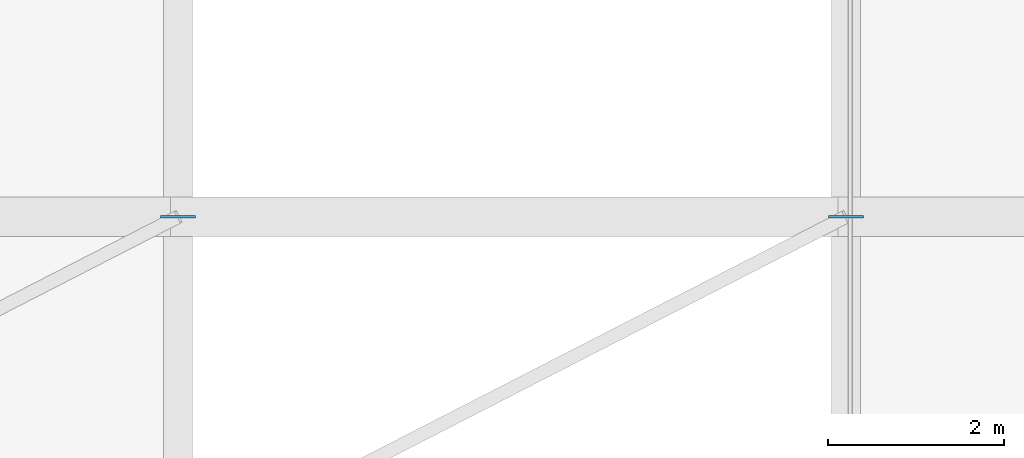
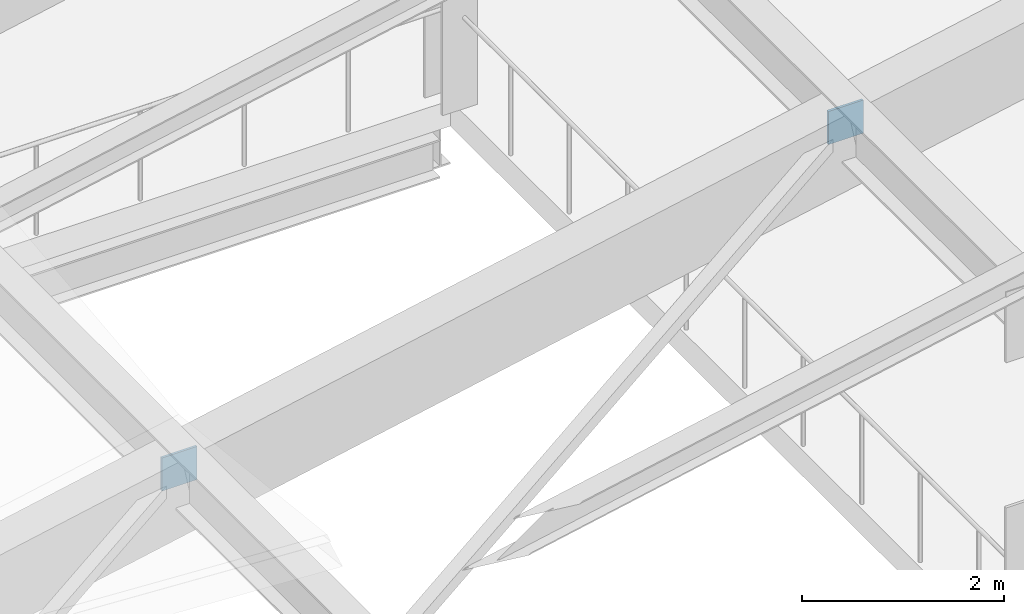
# One storey, part 46 of 73: 2 plates.
"""IFC4 building model written with IfcOpenShell, lengths in metres."""

import ifcopenshell
import ifcopenshell.guid

model = None  # the IFC model being written
_history = None  # IfcOwnerHistory: only IFC2X3 demands one
_inside = {}  # id of a spatial element -> (the spatial element, [elements in it])
_under = {}  # id of a project, library or spatial element -> (it, [spatial elements below it])
_declared = {}  # id of a project -> (the project, [libraries it declares])
_typed = {}  # id of a type object -> (the type object, [elements of that type])
_made_of = {}  # id of a material, layer set ... -> (it, [elements and type objects made of it])


def new_model(schema):
    """Start an empty IFC model of exactly this schema.

    Asked for "IFC4X3", IfcOpenShell would pick the latest addendum, in which some entities
    have other attributes; the version numbers below select the first issue.
    IFC2X3 requires an IfcOwnerHistory on every rooted entity: one is made here for all.
    """
    global model, _history
    if schema == "IFC4X3":
        model = ifcopenshell.file(schema_version=(4, 3, 0, 0))
    else:
        model = ifcopenshell.file(schema=schema)
    _inside.clear()
    _under.clear()
    _declared.clear()
    _typed.clear()
    _made_of.clear()
    _history = None
    if model.schema == "IFC2X3":
        org = make("IfcOrganization", Name="unknown")
        user = make(
            "IfcPersonAndOrganization",
            ThePerson=make("IfcPerson", FamilyName="unknown"),
            TheOrganization=org,
        )
        app = make(
            "IfcApplication",
            ApplicationDeveloper=org,
            Version="unknown",
            ApplicationFullName="unknown",
            ApplicationIdentifier="unknown",
        )
        _history = make(
            "IfcOwnerHistory",
            OwningUser=user,
            OwningApplication=app,
            ChangeAction="ADDED",
            CreationDate=0,
        )
    return model


def make(cls, **values):
    """One entity of the class cls with the attributes given. An attribute that is None is left unset."""
    return model.create_entity(
        cls, **{name: value for name, value in values.items() if value is not None}
    )


def rooted(cls, **values):
    """An entity with a GlobalId (a new one), such as an element, a storey or a relation."""
    return make(cls, GlobalId=ifcopenshell.guid.new(), OwnerHistory=_history, **values)


def si_unit(unit_type, name, prefix=None):
    """IfcSIUnit, for example si_unit("LENGTHUNIT", "METRE", prefix="MILLI")."""
    return make("IfcSIUnit", UnitType=unit_type, Prefix=prefix, Name=name)


def assignment(units):
    """IfcUnitAssignment: the units of a project."""
    return None if units is None else make("IfcUnitAssignment", Units=units)


def point(xyz):
    """IfcCartesianPoint."""
    return None if xyz is None else make("IfcCartesianPoint", Coordinates=xyz)


def direction(xyz):
    """IfcDirection."""
    return None if xyz is None else make("IfcDirection", DirectionRatios=xyz)


def frame(location, z_axis=None, x_axis=None):
    """IfcAxis2Placement3D, a coordinate frame: its origin and axes. An axis left out is left unset."""
    return make(
        "IfcAxis2Placement3D",
        Location=point(location),
        Axis=direction(z_axis),
        RefDirection=direction(x_axis),
    )


def frame_2d(location, x_axis=None):
    """IfcAxis2Placement2D, a coordinate frame in the plane: its origin and x axis."""
    return make(
        "IfcAxis2Placement2D", Location=point(location), RefDirection=direction(x_axis)
    )


def origin():
    """The frame at (0, 0, 0) with its axes left unset."""
    return frame((0.0, 0.0, 0.0))


def origin_2d():
    """The frame at (0, 0) in the plane with its x axis left unset."""
    return frame_2d((0.0, 0.0))


def place(relative_to, where):
    """IfcLocalPlacement: puts the frame where relative to a parent placement (None: the world)."""
    return make(
        "IfcLocalPlacement", PlacementRelTo=relative_to, RelativePlacement=where
    )


def context(
    kind, dimensions, precision=None, world=None, true_north=None, identifier=None
):
    """IfcGeometricRepresentationContext, for example the 3D "Model" context."""
    return make(
        "IfcGeometricRepresentationContext",
        ContextIdentifier=identifier,
        ContextType=kind,
        CoordinateSpaceDimension=dimensions,
        Precision=precision,
        WorldCoordinateSystem=world,
        TrueNorth=true_north,
    )


def subcontext(parent, identifier, kind, view, scale=None):
    """IfcGeometricRepresentationSubContext, for example "Body" below "Model"."""
    return make(
        "IfcGeometricRepresentationSubContext",
        ContextIdentifier=identifier,
        ContextType=kind,
        ParentContext=parent,
        TargetScale=scale,
        TargetView=view,
    )


def project(units=None, contexts=None):
    """IfcProject with its units and contexts."""
    return rooted(
        "IfcProject",
        Name="project",
        RepresentationContexts=contexts,
        UnitsInContext=assignment(units),
    )


def spatial(cls, under=None, at=None, **own):
    """A site, building, storey or space (cls), placed at a placement, below another one or the project."""
    s = rooted(cls, ObjectPlacement=at, **own)
    if under is not None:
        _under.setdefault(under.id(), (under, []))[1].append(s)
    return s


def profile(cls, at=None, kind="AREA", **sizes):
    """A parametric profile (cls). Its sizes go by their IFC names, for example OverallWidth=200.0."""
    return make(cls, ProfileType=kind, Position=at, **sizes)


def rectangle(**sizes):
    """IfcRectangleProfileDef."""
    return profile("IfcRectangleProfileDef", **sizes)


def extrude(swept, where, along, depth):
    """IfcExtrudedAreaSolid: the profile swept, set in the frame where, extruded along a direction by depth."""
    return make(
        "IfcExtrudedAreaSolid",
        SweptArea=swept,
        Position=where,
        ExtrudedDirection=direction(along),
        Depth=depth,
    )


def shape(context_of_items, identifier, shape_type, items):
    """IfcShapeRepresentation: the items that make up one representation, for example the "Body"."""
    return make(
        "IfcShapeRepresentation",
        ContextOfItems=context_of_items,
        RepresentationIdentifier=identifier,
        RepresentationType=shape_type,
        Items=items,
    )


def material(Name=None, Category=None):
    """IfcMaterial."""
    return make("IfcMaterial", Name=Name, Category=Category)


def layer(
    of_material, thickness, ventilated=None, Name=None, Category=None, Priority=None
):
    """IfcMaterialLayer: one layer of a wall or slab, of a material (None: an air gap)."""
    return make(
        "IfcMaterialLayer",
        Material=of_material,
        LayerThickness=thickness,
        IsVentilated=ventilated,
        Name=Name,
        Category=Category,
        Priority=Priority,
    )


def layer_set(layers, Name=None):
    """IfcMaterialLayerSet."""
    return make("IfcMaterialLayerSet", MaterialLayers=layers, LayerSetName=Name)


def made_of(thing, what):
    """Note that an element or type object is made of a material, layer set ...; save() writes the relation."""
    if what is not None:
        _made_of.setdefault(what.id(), (what, []))[1].append(thing)
    return thing


def type_object(cls, material=None, **own):
    """A type object (cls), such as IfcWallType, which elements share."""
    return made_of(rooted(cls, **own), material)


def element(
    cls,
    number,
    at=None,
    inside=None,
    cuts=None,
    type_object=None,
    material=None,
    context=None,
    identifier="Body",
    shape_type=None,
    held_by="IfcProductDefinitionShape",
    body=None,
    shapes=None,
    **own,
):
    """One element of the class cls, such as IfcWall. Its Tag is "e" and its number.

    at: its placement. inside: the storey or other place that contains it. cuts: it is an
    opening in that element (IfcRelVoidsElement). A single representation is given by context,
    identifier, shape_type and body (its items); several are given by shapes. held_by: the class
    of the entity that holds the representations. save() writes the other relations.
    """
    e = rooted(cls, Tag="e%d" % number, ObjectPlacement=at, **own)
    if body is not None:
        shapes = [shape(context, identifier, shape_type, body)]
    if shapes is not None:
        e.Representation = make(held_by, Representations=shapes)
    if inside is not None:
        _inside.setdefault(inside.id(), (inside, []))[1].append(e)
    if cuts is not None:
        rooted(
            "IfcRelVoidsElement", RelatingBuildingElement=cuts, RelatedOpeningElement=e
        )
    if type_object is not None:
        _typed.setdefault(type_object.id(), (type_object, []))[1].append(e)
    return made_of(e, material)


def aggregate(whole, parts):
    """IfcRelAggregates: a whole, such as a stair, and the parts it consists of."""
    return rooted("IfcRelAggregates", RelatingObject=whole, RelatedObjects=parts)


def save(model, path):
    """Write the relations noted so far, then the file.

    IfcRelAggregates (storeys below a building ...), IfcRelContainedInSpatialStructure (elements
    in a storey), IfcRelDefinesByType, IfcRelAssociatesMaterial and IfcRelDeclares: one each for
    every whole, place, type object, material and project.
    """
    for whole, parts in _under.values():
        aggregate(whole, parts)
    for where, things in _inside.values():
        rooted(
            "IfcRelContainedInSpatialStructure",
            RelatedElements=things,
            RelatingStructure=where,
        )
    for kind, things in _typed.values():
        rooted("IfcRelDefinesByType", RelatedObjects=things, RelatingType=kind)
    for what, things in _made_of.values():
        rooted("IfcRelAssociatesMaterial", RelatedObjects=things, RelatingMaterial=what)
    for by, libraries in _declared.values():
        rooted("IfcRelDeclares", RelatingContext=by, RelatedDefinitions=libraries)
    model.write(path)


model = new_model("IFC4")

# Units and contexts
model_context = context("Model", 3, precision=1e-05, world=origin(), true_north=direction((0.0, 1.0)))
body_context = subcontext(model_context, "Body", "Model", "MODEL_VIEW")
ifc_project = project(units=[si_unit("LENGTHUNIT", "METRE"), si_unit("AREAUNIT", "SQUARE_METRE"), si_unit("VOLUMEUNIT", "CUBIC_METRE"), si_unit("PLANEANGLEUNIT", "RADIAN"), si_unit("MASSUNIT", "GRAM", prefix="KILO")], contexts=[model_context])

# Site, building, storey
site_placement = place(None, origin())
site = spatial("IfcSite", under=ifc_project, at=site_placement, CompositionType="ELEMENT")
building_placement = place(site_placement, origin())
building = spatial("IfcBuilding", under=site, at=building_placement, Name="Vervanel Yard Central Library", CompositionType="ELEMENT")
storey_placement = place(building_placement, frame((0.0, 0.0, 12.780029296875)))
storey = spatial("IfcBuildingStorey", under=building, at=storey_placement, Name="L03", CompositionType="ELEMENT", Elevation=12.780029296875)

# Plates
ifc_material = material(Name="Steel ASTM A572 Grade 50", Category="steel")
ifc_layer = layer(ifc_material, 0.028076171875, Category="steel")
ifc_layer_set = layer_set([ifc_layer], Name="Steel ASTM A572 Grade 50")
plate_type = type_object("IfcPlateType", Name="Brace End Cap Plate 28", PredefinedType="SHEET", material=ifc_layer_set)
for number, where, z_axis, x_axis, name in (
    (1, (115.60009765625, 66.60009765625, 2.757080078125), (0.0, 0.0, 1.0), (1.0, 0.0, 0.0), "Shell Diaphragm Brace End Cap B3-5-2"),
    (2, (123.199951171875, 66.60009765625, 4.274169921875), (0.0, 0.0, 1.0), (1.0, 0.0, 0.0), "Shell Diaphragm Brace End Cap B4-5-2"),
):
    element("IfcPlate", number, at=place(storey_placement, frame(where, z_axis=z_axis, x_axis=x_axis)), inside=storey, type_object=plate_type, Name=name, PredefinedType="SHEET", context=body_context, shape_type="SweptSolid", body=[
        extrude(rectangle(XDim=0.39990234375, YDim=0.028076171875, at=origin_2d()), origin(), (0.0, 0.0, 1.0), 0.39990234375),
    ])

save(model, "model.ifc")
